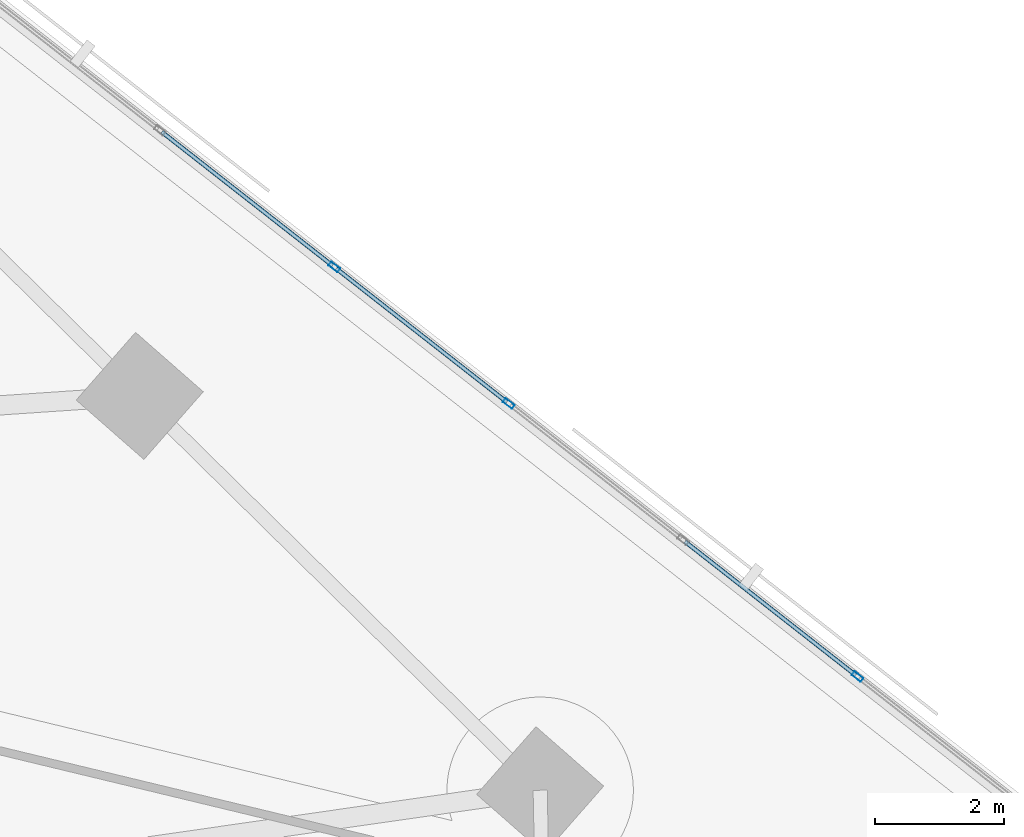
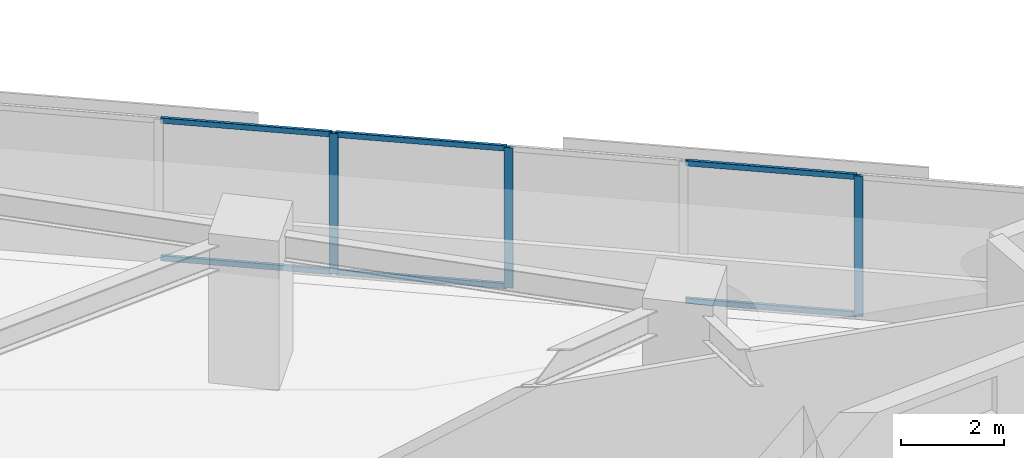
# One storey, part 5 of 16: 9 members, 1 element without a shape of its own.
"""IFC4 building model written with IfcOpenShell, lengths in metres."""

from ifc_helpers import new_model, si_unit, direction, frame, origin, origin_2d, place, context, subcontext, project, spatial, hollow_rectangle, extrude, material, material_profile, profile_set, type_object, element, aggregate, save


model = new_model("IFC4")

# Units and contexts
model_context = context("Model", 3, precision=1e-05, world=origin(), true_north=direction((0.0, 1.0)))
body_context = subcontext(model_context, "Body", "Model", "MODEL_VIEW")
ifc_project = project(units=[si_unit("LENGTHUNIT", "METRE"), si_unit("AREAUNIT", "SQUARE_METRE"), si_unit("VOLUMEUNIT", "CUBIC_METRE"), si_unit("PLANEANGLEUNIT", "RADIAN"), si_unit("MASSUNIT", "GRAM", prefix="KILO")], contexts=[model_context])

# Site, building, storey
site_placement = place(None, origin())
site = spatial("IfcSite", under=ifc_project, at=site_placement, CompositionType="ELEMENT")
building_placement = place(site_placement, origin())
building = spatial("IfcBuilding", under=site, at=building_placement, Name="Narakoshi Arena Tower", CompositionType="ELEMENT")
storey_placement = place(building_placement, frame((0.0, 0.0, 84.89990234375)))
storey = spatial("IfcBuildingStorey", under=building, at=storey_placement, Name="L22", CompositionType="ELEMENT", Elevation=84.89990234375)

# Curtain wall, members
ifc_material = material(Name="Anodised bronze aluminium 6063-T6", Category="aluminium")
curtain_wall_type = type_object("IfcCurtainWallType", Name="CW-HYP-LOW", PredefinedType="NOTDEFINED", material=ifc_material)
curtain_wall_placement = place(storey_placement, origin())
curtain_wall = element("IfcCurtainWall", 1, at=curtain_wall_placement, inside=storey, type_object=curtain_wall_type, Name="L22 Folded Hypotenuse Curtain Wall 1-1", PredefinedType="NOTDEFINED")
ifc_material_profile_1 = material_profile(ifc_material, hollow_rectangle(XDim=0.074951171875, YDim=0.179931640625, WallThickness=0.00390625, OuterFilletRadius=0.0048828125, at=origin_2d()), Name="MUL180x75x4")
ifc_profile_set_1 = profile_set([ifc_material_profile_1], Name="Anodised bronze aluminium 6063-T6")
member_type_1 = type_object("IfcMemberType", Name="MEM-MUL-180", PredefinedType="MULLION", material=ifc_profile_set_1)
member_1_placement = place(storey_placement, frame((118.150634765625, 40.435791015625, 0.0), z_axis=(0.0, 0.0, 1.0), x_axis=(-0.616458234641, -0.787387607817, 0.0)))
member_1 = element("IfcMember", 2, at=member_1_placement, type_object=member_type_1, Name="CW-01 mullion 2", PredefinedType="MULLION", context=body_context, shape_type="SweptSolid", body=[
    extrude(hollow_rectangle(XDim=0.074951171875, YDim=0.179931640625, WallThickness=0.00390625, OuterFilletRadius=0.0048828125, at=origin_2d()), origin(), (0.0, 0.0, 1.0), 3.340087890625),
])
member_2_placement = place(storey_placement, frame((112.7275390625, 44.681640625, 0.0), z_axis=(0.0, 0.0, 1.0), x_axis=(-0.616458234641, -0.787387607817, 0.0)))
member_2 = element("IfcMember", 3, at=member_2_placement, type_object=member_type_1, Name="CW-01 mullion 4", PredefinedType="MULLION", context=body_context, shape_type="SweptSolid", body=[
    extrude(hollow_rectangle(XDim=0.074951171875, YDim=0.179931640625, WallThickness=0.00390625, OuterFilletRadius=0.0048828125, at=origin_2d()), origin(), (0.0, 0.0, 1.0), 3.340087890625),
])
member_3_placement = place(storey_placement, frame((110.015869140625, 46.8046875, 0.0), z_axis=(0.0, 0.0, 1.0), x_axis=(-0.616458234641, -0.787387607817, 0.0)))
member_3 = element("IfcMember", 4, at=member_3_placement, type_object=member_type_1, Name="CW-01 mullion 5", PredefinedType="MULLION", context=body_context, shape_type="SweptSolid", body=[
    extrude(hollow_rectangle(XDim=0.074951171875, YDim=0.179931640625, WallThickness=0.00390625, OuterFilletRadius=0.0048828125, at=origin_2d()), origin(), (0.0, 0.0, 1.0), 3.340087890625),
])
ifc_material_profile_2 = material_profile(ifc_material, hollow_rectangle(XDim=0.06494140625, YDim=0.1298828125, WallThickness=0.00390625, OuterFilletRadius=0.0048828125, at=origin_2d()), Name="TRN130x65x4")
ifc_profile_set_2 = profile_set([ifc_material_profile_2], Name="Anodised bronze aluminium 6063-T6")
member_type_2 = type_object("IfcMemberType", Name="MEM-TRN-130", PredefinedType="USERDEFINED", material=ifc_profile_set_2)
member_4_placement = place(storey_placement, frame((118.12109375, 40.458984375, 0.03271484375), z_axis=(-0.787400998112, 0.616441131149, 0.0), x_axis=(-0.616441131149, -0.787400998112, 0.0)))
member_4 = element("IfcMember", 5, at=member_4_placement, type_object=member_type_2, Name="CW-01 transom 2.1", ObjectType="TRANSOM", PredefinedType="USERDEFINED", context=body_context, shape_type="SweptSolid", body=[
    extrude(hollow_rectangle(XDim=0.06494140625, YDim=0.1298828125, WallThickness=0.00390625, OuterFilletRadius=0.0048828125, at=origin_2d()), origin(), (0.0, 0.0, 1.0), 3.368896484375),
])
member_5_placement = place(storey_placement, frame((118.12109375, 40.458984375, 3.3076171875), z_axis=(-0.787400998112, 0.616441131149, 0.0), x_axis=(-0.616441131149, -0.787400998112, 0.0)))
member_5 = element("IfcMember", 6, at=member_5_placement, type_object=member_type_2, Name="CW-01 transom 2.2", ObjectType="TRANSOM", PredefinedType="USERDEFINED", context=body_context, shape_type="SweptSolid", body=[
    extrude(hollow_rectangle(XDim=0.06494140625, YDim=0.1298828125, WallThickness=0.00390625, OuterFilletRadius=0.0048828125, at=origin_2d()), origin(), (0.0, 0.0, 1.0), 3.368896484375),
])
member_6_placement = place(storey_placement, frame((112.697998046875, 44.704833984375, 0.03271484375), z_axis=(-0.787400998112, 0.616441131149, 0.0), x_axis=(-0.616441131149, -0.787400998112, 0.0)))
member_6 = element("IfcMember", 7, at=member_6_placement, type_object=member_type_2, Name="CW-01 transom 4.1", ObjectType="TRANSOM", PredefinedType="USERDEFINED", context=body_context, shape_type="SweptSolid", body=[
    extrude(hollow_rectangle(XDim=0.06494140625, YDim=0.1298828125, WallThickness=0.00390625, OuterFilletRadius=0.0048828125, at=origin_2d()), origin(), (0.0, 0.0, 1.0), 3.368896484375),
])
member_7_placement = place(storey_placement, frame((112.697998046875, 44.704833984375, 3.3076171875), z_axis=(-0.787400998112, 0.616441131149, 0.0), x_axis=(-0.616441131149, -0.787400998112, 0.0)))
member_7 = element("IfcMember", 8, at=member_7_placement, type_object=member_type_2, Name="CW-01 transom 4.2", ObjectType="TRANSOM", PredefinedType="USERDEFINED", context=body_context, shape_type="SweptSolid", body=[
    extrude(hollow_rectangle(XDim=0.06494140625, YDim=0.1298828125, WallThickness=0.00390625, OuterFilletRadius=0.0048828125, at=origin_2d()), origin(), (0.0, 0.0, 1.0), 3.368896484375),
])
member_8_placement = place(storey_placement, frame((109.986328125, 46.827880859375, 0.03271484375), z_axis=(-0.787373456673, 0.616476309137, 0.0), x_axis=(-0.616476309137, -0.787373456673, 0.0)))
member_8 = element("IfcMember", 9, at=member_8_placement, type_object=member_type_2, Name="CW-01 transom 5.1", ObjectType="TRANSOM", PredefinedType="USERDEFINED", context=body_context, shape_type="SweptSolid", body=[
    extrude(hollow_rectangle(XDim=0.06494140625, YDim=0.1298828125, WallThickness=0.00390625, OuterFilletRadius=0.0048828125, at=origin_2d()), origin(), (0.0, 0.0, 1.0), 3.36865234375),
])
member_9_placement = place(storey_placement, frame((109.986328125, 46.827880859375, 3.3076171875), z_axis=(-0.787373456673, 0.616476309137, 0.0), x_axis=(-0.616476309137, -0.787373456673, 0.0)))
member_9 = element("IfcMember", 10, at=member_9_placement, type_object=member_type_2, Name="CW-01 transom 5.2", ObjectType="TRANSOM", PredefinedType="USERDEFINED", context=body_context, shape_type="SweptSolid", body=[
    extrude(hollow_rectangle(XDim=0.06494140625, YDim=0.1298828125, WallThickness=0.00390625, OuterFilletRadius=0.0048828125, at=origin_2d()), origin(), (0.0, 0.0, 1.0), 3.36865234375),
])
aggregate(curtain_wall, [member_1, member_2, member_3, member_4, member_5, member_6, member_7, member_8, member_9])

save(model, "model.ifc")
